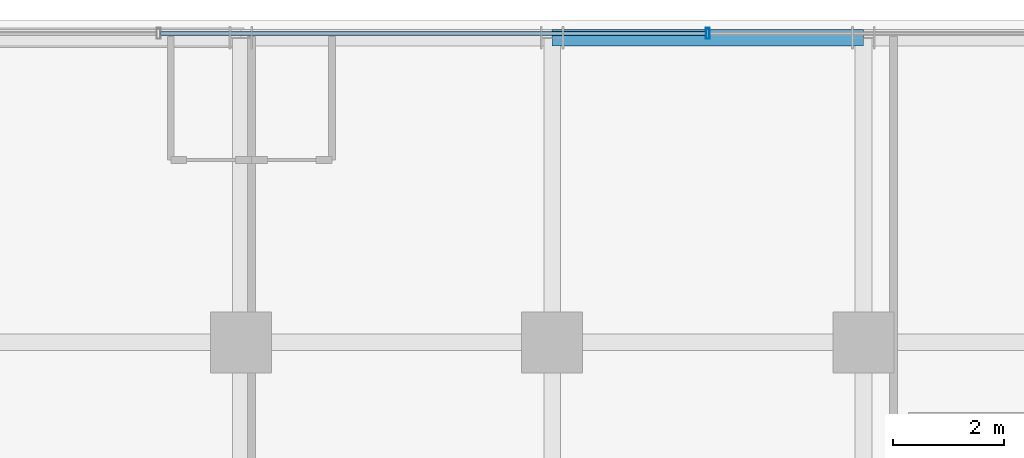
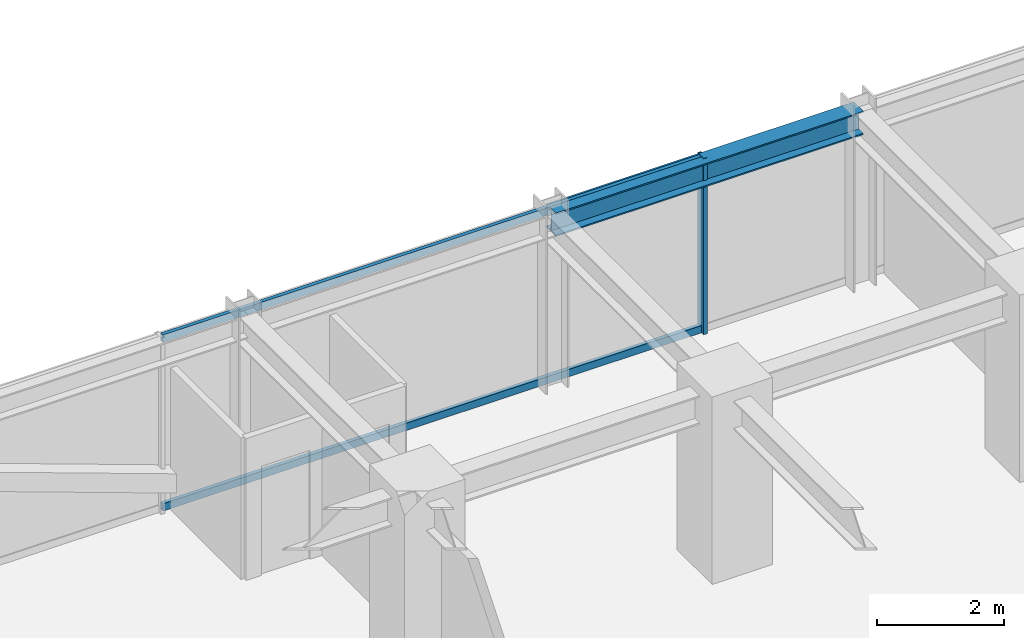
# One storey, part 23 of 35: 3 members, 1 beam, 1 element without a shape of its own.
"""IFC4 building model written with IfcOpenShell, lengths in metres."""

from ifc_helpers import new_model, si_unit, direction, frame, origin, origin_2d, place, context, subcontext, project, spatial, hollow_rectangle, i_section, extrude, source, transform, mapped, material, material_profile, profile_set, type_object, element, aggregate, save


model = new_model("IFC4")

# Units and contexts
model_context = context("Model", 3, precision=1e-05, world=origin(), true_north=direction((0.0, 1.0)))
body_context = subcontext(model_context, "Body", "Model", "MODEL_VIEW")
ifc_project = project(units=[si_unit("LENGTHUNIT", "METRE"), si_unit("AREAUNIT", "SQUARE_METRE"), si_unit("VOLUMEUNIT", "CUBIC_METRE"), si_unit("PLANEANGLEUNIT", "RADIAN"), si_unit("MASSUNIT", "GRAM", prefix="KILO")], contexts=[model_context])

# Site, building, storey
site_placement = place(None, origin())
site = spatial("IfcSite", under=ifc_project, at=site_placement, CompositionType="ELEMENT")
building_placement = place(site_placement, origin())
building = spatial("IfcBuilding", under=site, at=building_placement, Name="Nahalor Promenade Grand Hotel", CompositionType="ELEMENT")
storey_placement = place(building_placement, frame((0.0, 0.0, 185.5)))
storey = spatial("IfcBuildingStorey", under=building, at=storey_placement, Name="L47", CompositionType="ELEMENT", Elevation=185.5)

# Beam
ifc_material_1 = material(Name="Steel S355JR", Category="steel")
ifc_material_profile_1 = material_profile(ifc_material_1, i_section(OverallWidth=0.3, OverallDepth=0.45, WebThickness=0.014, FlangeThickness=0.026, at=origin_2d()), Name="HEB 450")
ifc_profile_set_1 = profile_set([ifc_material_profile_1], Name="Steel S355JR")
beam_type = type_object("IfcBeamType", Name="Beam-Spandrel-HEB450", PredefinedType="SPANDREL", material=ifc_profile_set_1)
shared_shape_1 = source(origin(), body_context, "Body", "SweptSolid", [
    extrude(i_section(OverallWidth=0.3, OverallDepth=0.45, WebThickness=0.014, FlangeThickness=0.026, at=origin_2d()), origin(), (0.0, 0.0, 1.0), 5.60009765625),
])
beam_placement = place(storey_placement, frame((-2.800048828125, 22.47998046875, 3.1650390625), z_axis=(1.0, 0.0, 0.0), x_axis=(0.0, 1.0, 0.0)))
element("IfcBeam", 1, at=beam_placement, inside=storey, type_object=beam_type, Name="BM-L47-SP-N-2", PredefinedType="SPANDREL", context=body_context, shape_type="MappedRepresentation", body=[
    mapped(shared_shape_1, transform((0.0, 0.0, 0.0), scale=1.0)),
])

# Curtain wall, members
ifc_material_2 = material(Name="Anodised Bronze Aluminium EN AW-6063 T6", Category="aluminium")
curtain_wall_type = type_object("IfcCurtainWallType", Name="CW3 Elliptical-Void Collar Unitised Curtain Wall", PredefinedType="USERDEFINED", material=ifc_material_2)
curtain_wall_placement = place(storey_placement, origin())
curtain_wall = element("IfcCurtainWall", 2, at=curtain_wall_placement, inside=storey, type_object=curtain_wall_type, Name="L47 Curtain Wall CW-L47-N-1", ObjectType="UNITISED_CURTAIN_WALL", PredefinedType="USERDEFINED")
ifc_material_profile_2 = material_profile(ifc_material_2, hollow_rectangle(XDim=0.07, YDim=0.14, WallThickness=0.004, at=origin_2d()), Name="CWT 70x140x4")
ifc_profile_set_2 = profile_set([ifc_material_profile_2], Name="Anodised Bronze Aluminium EN AW-6063 T6")
member_type_1 = type_object("IfcMemberType", Name="CWT3 Void Collar Transom 70x140", PredefinedType="USERDEFINED", material=ifc_profile_set_2)
shared_shape_2 = source(origin(), body_context, "Body", "SweptSolid", [
    extrude(hollow_rectangle(XDim=0.07, YDim=0.14, WallThickness=0.004, at=origin_2d()), origin(), (0.0, 0.0, 1.0), 9.81005859375),
])
member_1_placement = place(storey_placement, frame((-9.844970703125, 22.56005859375, 0.070068359375), z_axis=(1.0, 0.0, 0.0), x_axis=(0.0, 1.0, 0.0)))
member_1 = element("IfcMember", 3, at=member_1_placement, type_object=member_type_1, Name="CW-L47-N-1 Transom 1-0", ObjectType="TRANSOM", PredefinedType="USERDEFINED", context=body_context, shape_type="MappedRepresentation", body=[
    mapped(shared_shape_2, transform((0.0, 0.0, 0.0), scale=1.0)),
])
member_2_placement = place(storey_placement, frame((-9.844970703125, 22.56005859375, 3.320068359375), z_axis=(1.0, 0.0, 0.0), x_axis=(0.0, 1.0, 0.0)))
member_2 = element("IfcMember", 4, at=member_2_placement, type_object=member_type_1, Name="CW-L47-N-1 Transom 1-1", ObjectType="TRANSOM", PredefinedType="USERDEFINED", context=body_context, shape_type="MappedRepresentation", body=[
    mapped(shared_shape_2, transform((0.0, 0.0, 0.0), scale=1.0)),
])
ifc_material_profile_3 = material_profile(ifc_material_2, hollow_rectangle(XDim=0.07, YDim=0.2, WallThickness=0.005, at=origin_2d()), Name="CWM 70x200x5")
ifc_profile_set_3 = profile_set([ifc_material_profile_3], Name="Anodised Bronze Aluminium EN AW-6063 T6")
member_type_2 = type_object("IfcMemberType", Name="CWM3 Void Collar Mullion 70x200", PredefinedType="MULLION", material=ifc_profile_set_3)
shared_shape_3 = source(origin(), body_context, "Body", "SweptSolid", [
    extrude(hollow_rectangle(XDim=0.07, YDim=0.2, WallThickness=0.005, at=origin_2d()), origin(), (0.0, 0.0, 1.0), 3.389892578125),
])
member_3_placement = place(storey_placement, frame((0.0, 22.56005859375, 0.0), z_axis=(0.0, 0.0, 1.0), x_axis=(1.0, 0.0, 0.0)))
member_3 = element("IfcMember", 5, at=member_3_placement, type_object=member_type_2, Name="CW-L47-N-1 Mullion 2", PredefinedType="MULLION", context=body_context, shape_type="MappedRepresentation", body=[
    mapped(shared_shape_3, transform((0.0, 0.0, 0.0), scale=1.0)),
])
aggregate(curtain_wall, [member_3, member_1, member_2])

save(model, "model.ifc")
